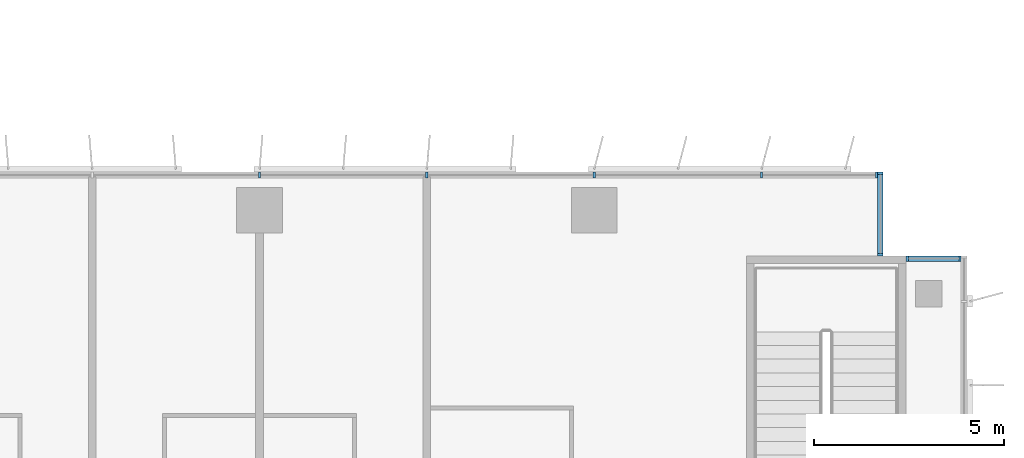
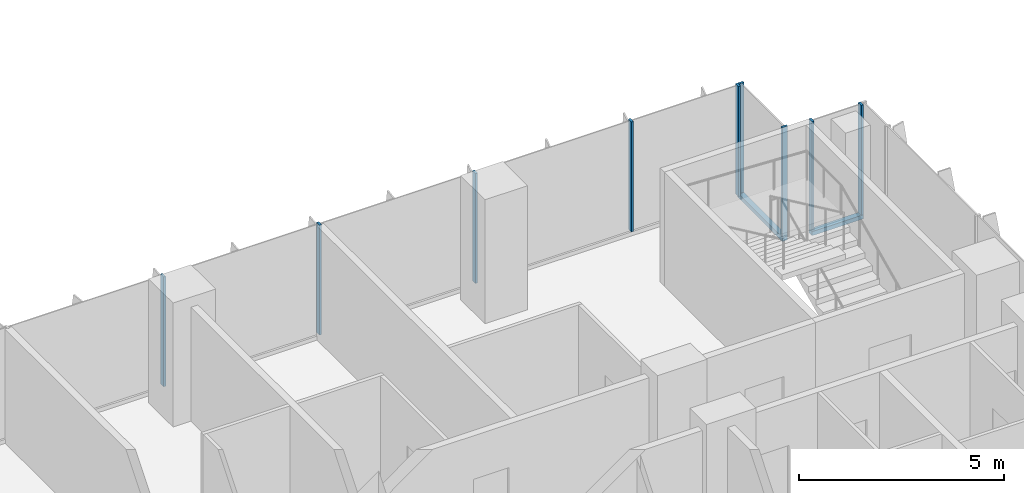
# One storey, part 4 of 23: 11 members, 3 elements without a shape of their own.
"""IFC4 building model written with IfcOpenShell, lengths in metres."""

import ifcopenshell
import ifcopenshell.guid

model = None  # the IFC model being written
_history = None  # IfcOwnerHistory: only IFC2X3 demands one
_inside = {}  # id of a spatial element -> (the spatial element, [elements in it])
_under = {}  # id of a project, library or spatial element -> (it, [spatial elements below it])
_declared = {}  # id of a project -> (the project, [libraries it declares])
_typed = {}  # id of a type object -> (the type object, [elements of that type])
_made_of = {}  # id of a material, layer set ... -> (it, [elements and type objects made of it])


def new_model(schema):
    """Start an empty IFC model of exactly this schema.

    Asked for "IFC4X3", IfcOpenShell would pick the latest addendum, in which some entities
    have other attributes; the version numbers below select the first issue.
    IFC2X3 requires an IfcOwnerHistory on every rooted entity: one is made here for all.
    """
    global model, _history
    if schema == "IFC4X3":
        model = ifcopenshell.file(schema_version=(4, 3, 0, 0))
    else:
        model = ifcopenshell.file(schema=schema)
    _inside.clear()
    _under.clear()
    _declared.clear()
    _typed.clear()
    _made_of.clear()
    _history = None
    if model.schema == "IFC2X3":
        org = make("IfcOrganization", Name="unknown")
        user = make(
            "IfcPersonAndOrganization",
            ThePerson=make("IfcPerson", FamilyName="unknown"),
            TheOrganization=org,
        )
        app = make(
            "IfcApplication",
            ApplicationDeveloper=org,
            Version="unknown",
            ApplicationFullName="unknown",
            ApplicationIdentifier="unknown",
        )
        _history = make(
            "IfcOwnerHistory",
            OwningUser=user,
            OwningApplication=app,
            ChangeAction="ADDED",
            CreationDate=0,
        )
    return model


def make(cls, **values):
    """One entity of the class cls with the attributes given. An attribute that is None is left unset."""
    return model.create_entity(
        cls, **{name: value for name, value in values.items() if value is not None}
    )


def rooted(cls, **values):
    """An entity with a GlobalId (a new one), such as an element, a storey or a relation."""
    return make(cls, GlobalId=ifcopenshell.guid.new(), OwnerHistory=_history, **values)


def si_unit(unit_type, name, prefix=None):
    """IfcSIUnit, for example si_unit("LENGTHUNIT", "METRE", prefix="MILLI")."""
    return make("IfcSIUnit", UnitType=unit_type, Prefix=prefix, Name=name)


def assignment(units):
    """IfcUnitAssignment: the units of a project."""
    return None if units is None else make("IfcUnitAssignment", Units=units)


def point(xyz):
    """IfcCartesianPoint."""
    return None if xyz is None else make("IfcCartesianPoint", Coordinates=xyz)


def direction(xyz):
    """IfcDirection."""
    return None if xyz is None else make("IfcDirection", DirectionRatios=xyz)


def frame(location, z_axis=None, x_axis=None):
    """IfcAxis2Placement3D, a coordinate frame: its origin and axes. An axis left out is left unset."""
    return make(
        "IfcAxis2Placement3D",
        Location=point(location),
        Axis=direction(z_axis),
        RefDirection=direction(x_axis),
    )


def frame_2d(location, x_axis=None):
    """IfcAxis2Placement2D, a coordinate frame in the plane: its origin and x axis."""
    return make(
        "IfcAxis2Placement2D", Location=point(location), RefDirection=direction(x_axis)
    )


def origin():
    """The frame at (0, 0, 0) with its axes left unset."""
    return frame((0.0, 0.0, 0.0))


def origin_2d():
    """The frame at (0, 0) in the plane with its x axis left unset."""
    return frame_2d((0.0, 0.0))


def place(relative_to, where):
    """IfcLocalPlacement: puts the frame where relative to a parent placement (None: the world)."""
    return make(
        "IfcLocalPlacement", PlacementRelTo=relative_to, RelativePlacement=where
    )


def context(
    kind, dimensions, precision=None, world=None, true_north=None, identifier=None
):
    """IfcGeometricRepresentationContext, for example the 3D "Model" context."""
    return make(
        "IfcGeometricRepresentationContext",
        ContextIdentifier=identifier,
        ContextType=kind,
        CoordinateSpaceDimension=dimensions,
        Precision=precision,
        WorldCoordinateSystem=world,
        TrueNorth=true_north,
    )


def subcontext(parent, identifier, kind, view, scale=None):
    """IfcGeometricRepresentationSubContext, for example "Body" below "Model"."""
    return make(
        "IfcGeometricRepresentationSubContext",
        ContextIdentifier=identifier,
        ContextType=kind,
        ParentContext=parent,
        TargetScale=scale,
        TargetView=view,
    )


def project(units=None, contexts=None):
    """IfcProject with its units and contexts."""
    return rooted(
        "IfcProject",
        Name="project",
        RepresentationContexts=contexts,
        UnitsInContext=assignment(units),
    )


def spatial(cls, under=None, at=None, **own):
    """A site, building, storey or space (cls), placed at a placement, below another one or the project."""
    s = rooted(cls, ObjectPlacement=at, **own)
    if under is not None:
        _under.setdefault(under.id(), (under, []))[1].append(s)
    return s


def profile(cls, at=None, kind="AREA", **sizes):
    """A parametric profile (cls). Its sizes go by their IFC names, for example OverallWidth=200.0."""
    return make(cls, ProfileType=kind, Position=at, **sizes)


def rectangle(**sizes):
    """IfcRectangleProfileDef."""
    return profile("IfcRectangleProfileDef", **sizes)


def extrude(swept, where, along, depth):
    """IfcExtrudedAreaSolid: the profile swept, set in the frame where, extruded along a direction by depth."""
    return make(
        "IfcExtrudedAreaSolid",
        SweptArea=swept,
        Position=where,
        ExtrudedDirection=direction(along),
        Depth=depth,
    )


def shape(context_of_items, identifier, shape_type, items):
    """IfcShapeRepresentation: the items that make up one representation, for example the "Body"."""
    return make(
        "IfcShapeRepresentation",
        ContextOfItems=context_of_items,
        RepresentationIdentifier=identifier,
        RepresentationType=shape_type,
        Items=items,
    )


def source(mapping_origin, context_of_items, identifier, shape_type, items):
    """IfcRepresentationMap: a shape defined once, which mapped items show again and again."""
    return make(
        "IfcRepresentationMap",
        MappingOrigin=mapping_origin,
        MappedRepresentation=shape(context_of_items, identifier, shape_type, items),
    )


def transform(
    local_origin,
    x_axis=None,
    y_axis=None,
    z_axis=None,
    scale=None,
    scale2=None,
    scale3=None,
    uniform=True,
):
    """IfcCartesianTransformationOperator3D, or its non-uniform kind. x_axis, y_axis, z_axis: its Axis1, 2, 3."""
    if uniform:
        return make(
            "IfcCartesianTransformationOperator3D",
            Axis1=direction(x_axis),
            Axis2=direction(y_axis),
            LocalOrigin=point(local_origin),
            Scale=scale,
            Axis3=direction(z_axis),
        )
    return make(
        "IfcCartesianTransformationOperator3DnonUniform",
        Axis1=direction(x_axis),
        Axis2=direction(y_axis),
        LocalOrigin=point(local_origin),
        Scale=scale,
        Axis3=direction(z_axis),
        Scale2=scale2,
        Scale3=scale3,
    )


def mapped(mapping_source, mapping_target):
    """IfcMappedItem: shows the shape of a source again, moved by a transform."""
    return make(
        "IfcMappedItem", MappingSource=mapping_source, MappingTarget=mapping_target
    )


def material(Name=None, Category=None):
    """IfcMaterial."""
    return make("IfcMaterial", Name=Name, Category=Category)


def material_profile(
    of_material, cross_section, Name=None, Category=None, Priority=None
):
    """IfcMaterialProfile: a cross section and its material."""
    return make(
        "IfcMaterialProfile",
        Name=Name,
        Material=of_material,
        Profile=cross_section,
        Priority=Priority,
        Category=Category,
    )


def profile_set(profiles, Name=None, composite=None):
    """IfcMaterialProfileSet."""
    return make(
        "IfcMaterialProfileSet",
        Name=Name,
        MaterialProfiles=profiles,
        CompositeProfile=composite,
    )


def made_of(thing, what):
    """Note that an element or type object is made of a material, layer set ...; save() writes the relation."""
    if what is not None:
        _made_of.setdefault(what.id(), (what, []))[1].append(thing)
    return thing


def type_object(cls, material=None, **own):
    """A type object (cls), such as IfcWallType, which elements share."""
    return made_of(rooted(cls, **own), material)


def element(
    cls,
    number,
    at=None,
    inside=None,
    cuts=None,
    type_object=None,
    material=None,
    context=None,
    identifier="Body",
    shape_type=None,
    held_by="IfcProductDefinitionShape",
    body=None,
    shapes=None,
    **own,
):
    """One element of the class cls, such as IfcWall. Its Tag is "e" and its number.

    at: its placement. inside: the storey or other place that contains it. cuts: it is an
    opening in that element (IfcRelVoidsElement). A single representation is given by context,
    identifier, shape_type and body (its items); several are given by shapes. held_by: the class
    of the entity that holds the representations. save() writes the other relations.
    """
    e = rooted(cls, Tag="e%d" % number, ObjectPlacement=at, **own)
    if body is not None:
        shapes = [shape(context, identifier, shape_type, body)]
    if shapes is not None:
        e.Representation = make(held_by, Representations=shapes)
    if inside is not None:
        _inside.setdefault(inside.id(), (inside, []))[1].append(e)
    if cuts is not None:
        rooted(
            "IfcRelVoidsElement", RelatingBuildingElement=cuts, RelatedOpeningElement=e
        )
    if type_object is not None:
        _typed.setdefault(type_object.id(), (type_object, []))[1].append(e)
    return made_of(e, material)


def aggregate(whole, parts):
    """IfcRelAggregates: a whole, such as a stair, and the parts it consists of."""
    return rooted("IfcRelAggregates", RelatingObject=whole, RelatedObjects=parts)


def save(model, path):
    """Write the relations noted so far, then the file.

    IfcRelAggregates (storeys below a building ...), IfcRelContainedInSpatialStructure (elements
    in a storey), IfcRelDefinesByType, IfcRelAssociatesMaterial and IfcRelDeclares: one each for
    every whole, place, type object, material and project.
    """
    for whole, parts in _under.values():
        aggregate(whole, parts)
    for where, things in _inside.values():
        rooted(
            "IfcRelContainedInSpatialStructure",
            RelatedElements=things,
            RelatingStructure=where,
        )
    for kind, things in _typed.values():
        rooted("IfcRelDefinesByType", RelatedObjects=things, RelatingType=kind)
    for what, things in _made_of.values():
        rooted("IfcRelAssociatesMaterial", RelatedObjects=things, RelatingMaterial=what)
    for by, libraries in _declared.values():
        rooted("IfcRelDeclares", RelatingContext=by, RelatedDefinitions=libraries)
    model.write(path)


model = new_model("IFC4")

# Units and contexts
model_context = context("Model", 3, precision=1e-05, world=origin(), true_north=direction((0.0, 1.0)))
body_context = subcontext(model_context, "Body", "Model", "MODEL_VIEW")
ifc_project = project(units=[si_unit("LENGTHUNIT", "METRE"), si_unit("AREAUNIT", "SQUARE_METRE"), si_unit("VOLUMEUNIT", "CUBIC_METRE"), si_unit("PLANEANGLEUNIT", "RADIAN"), si_unit("MASSUNIT", "GRAM", prefix="KILO")], contexts=[model_context])

# Site, building, storey
site_placement = place(None, origin())
site = spatial("IfcSite", under=ifc_project, at=site_placement, CompositionType="ELEMENT")
building_placement = place(site_placement, origin())
building = spatial("IfcBuilding", under=site, at=building_placement, Name="Kemantara Hotel Tower", CompositionType="ELEMENT")
storey_placement = place(building_placement, frame((0.0, 0.0, 118.5)))
storey = spatial("IfcBuildingStorey", under=building, at=storey_placement, Name="L28", CompositionType="ELEMENT", Elevation=118.5)

# Curtain wall, member
ifc_material_1 = material(Name="Low-E tinted double insulated glass 36 mm", Category="glass")
curtain_wall_type = type_object("IfcCurtainWallType", Name="TOWER CURTAIN WALL, FRONT FACES", PredefinedType="USERDEFINED", material=ifc_material_1)
curtain_wall_1_placement = place(storey_placement, origin())
curtain_wall_1 = element("IfcCurtainWall", 1, at=curtain_wall_1_placement, inside=storey, type_object=curtain_wall_type, Name="CW4 L28 T2-R11-1", ObjectType="TOWER CURTAIN WALL, FRONT FACES", PredefinedType="USERDEFINED")
ifc_material_2 = material(Name="Aluminium 6063-T6 bronze anodised", Category="aluminium")
ifc_material_profile_1 = material_profile(ifc_material_2, rectangle(XDim=0.14990234375, YDim=0.1201171875, at=origin_2d()), Name="TOWER CURTAIN WALL, FRONT FACES TRANSOM")
ifc_profile_set_1 = profile_set([ifc_material_profile_1], Name="Aluminium 6063-T6 bronze anodised")
member_type_1 = type_object("IfcMemberType", Name="TOWER CURTAIN WALL, FRONT FACES TRANSOM", PredefinedType="USERDEFINED", material=ifc_profile_set_1)
member_1_placement = place(storey_placement, frame((63.449951171875, 19.72509765625, 0.06005859375), z_axis=(-1.0, 0.0, 0.0), x_axis=(0.0, -1.0, 0.0)))
member_1 = element("IfcMember", 2, at=member_1_placement, type_object=member_type_1, Name="CW4 sill transom T2-R11-1", ObjectType="TRANSOM", PredefinedType="USERDEFINED", context=body_context, shape_type="SweptSolid", body=[
    extrude(rectangle(XDim=0.14990234375, YDim=0.1201171875, at=origin_2d()), origin(), (0.0, 0.0, 1.0), 1.449951171875),
])

curtain_wall_2_placement = place(storey_placement, origin())
curtain_wall_2 = element("IfcCurtainWall", 3, at=curtain_wall_2_placement, inside=storey, type_object=curtain_wall_type, Name="CW4 L28 T2-R12-1", ObjectType="TOWER CURTAIN WALL, FRONT FACES", PredefinedType="USERDEFINED")
member_2_placement = place(storey_placement, frame((61.324951171875, 19.800048828125, 0.06005859375), z_axis=(0.0, 1.0, 0.0), x_axis=(-1.0, 0.0, 0.0)))
member_2 = element("IfcMember", 4, at=member_2_placement, type_object=member_type_1, Name="CW4 sill transom T2-R12-1", ObjectType="TRANSOM", PredefinedType="USERDEFINED", context=body_context, shape_type="SweptSolid", body=[
    extrude(rectangle(XDim=0.14990234375, YDim=0.1201171875, at=origin_2d()), origin(), (0.0, 0.0, 1.0), 2.199951171875),
])

# Curtain wall, members
curtain_wall_3_placement = place(storey_placement, origin())
curtain_wall_3 = element("IfcCurtainWall", 5, at=curtain_wall_3_placement, inside=storey, type_object=curtain_wall_type, Name="CW4 L28 T2-R13-1", ObjectType="TOWER CURTAIN WALL, FRONT FACES", PredefinedType="USERDEFINED")
ifc_material_profile_2 = material_profile(ifc_material_2, rectangle(XDim=0.14990234375, YDim=0.06005859375, at=origin_2d()), Name="TOWER CURTAIN WALL, FRONT FACES MULLION")
ifc_profile_set_2 = profile_set([ifc_material_profile_2], Name="Aluminium 6063-T6 bronze anodised")
member_type_2 = type_object("IfcMemberType", Name="TOWER CURTAIN WALL, FRONT FACES MULLION", PredefinedType="MULLION", material=ifc_profile_set_2)
shared_shape = source(origin(), body_context, "Body", "SweptSolid", [
    extrude(rectangle(XDim=0.14990234375, YDim=0.06005859375, at=origin_2d()), origin(), (0.0, 0.0, 1.0), 3.27978515625),
])
member_3_placement = place(storey_placement, frame((61.219970703125, 21.925048828125, 0.1201171875), z_axis=(0.0, 0.0, 1.0), x_axis=(0.0, -1.0, 0.0)))
member_3 = element("IfcMember", 6, at=member_3_placement, type_object=member_type_2, Name="CW4 mullion T2-R13-1.1", PredefinedType="MULLION", context=body_context, shape_type="MappedRepresentation", body=[
    mapped(shared_shape, transform((0.0, 0.0, 0.0))),
])
member_4_placement = place(storey_placement, frame((58.199951171875, 21.925048828125, 0.1201171875), z_axis=(0.0, 0.0, 1.0), x_axis=(0.0, -1.0, 0.0)))
member_4 = element("IfcMember", 7, at=member_4_placement, type_object=member_type_2, Name="CW4 mullion T2-R13-1.2", PredefinedType="MULLION", context=body_context, shape_type="MappedRepresentation", body=[
    mapped(shared_shape, transform((0.0, 0.0, 0.0))),
])
member_5_placement = place(storey_placement, frame((53.800048828125, 21.925048828125, 0.1201171875), z_axis=(0.0, 0.0, 1.0), x_axis=(0.0, -1.0, 0.0)))
member_5 = element("IfcMember", 8, at=member_5_placement, type_object=member_type_2, Name="CW4 mullion T2-R13-1.3", PredefinedType="MULLION", context=body_context, shape_type="MappedRepresentation", body=[
    mapped(shared_shape, transform((0.0, 0.0, 0.0))),
])
member_6_placement = place(storey_placement, frame((49.39990234375, 21.925048828125, 0.1201171875), z_axis=(0.0, 0.0, 1.0), x_axis=(0.0, -1.0, 0.0)))
member_6 = element("IfcMember", 9, at=member_6_placement, type_object=member_type_2, Name="CW4 mullion T2-R13-1.4", PredefinedType="MULLION", context=body_context, shape_type="MappedRepresentation", body=[
    mapped(shared_shape, transform((0.0, 0.0, 0.0))),
])
member_7_placement = place(storey_placement, frame((45.0, 21.925048828125, 0.1201171875), z_axis=(0.0, 0.0, 1.0), x_axis=(0.0, -1.0, 0.0)))
member_7 = element("IfcMember", 10, at=member_7_placement, type_object=member_type_2, Name="CW4 mullion T2-R13-1.5", PredefinedType="MULLION", context=body_context, shape_type="MappedRepresentation", body=[
    mapped(shared_shape, transform((0.0, 0.0, 0.0))),
])
aggregate(curtain_wall_3, [member_3, member_4, member_5, member_6, member_7])

# Member
member_8_placement = place(storey_placement, frame((63.419921875, 19.72509765625, 0.1201171875), z_axis=(0.0, 0.0, 1.0), x_axis=(0.0, -1.0, 0.0)))
member_8 = element("IfcMember", 11, at=member_8_placement, type_object=member_type_2, Name="CW4 mullion T2-R11-1.1", PredefinedType="MULLION", context=body_context, shape_type="MappedRepresentation", body=[
    mapped(shared_shape, transform((0.0, 0.0, 0.0))),
])

member_9_placement = place(storey_placement, frame((62.030029296875, 19.72509765625, 0.1201171875), z_axis=(0.0, 0.0, 1.0), x_axis=(0.0, -1.0, 0.0)))
member_9 = element("IfcMember", 12, at=member_9_placement, type_object=member_type_2, Name="CW4 mullion T2-R11-1.2", PredefinedType="MULLION", context=body_context, shape_type="MappedRepresentation", body=[
    mapped(shared_shape, transform((0.0, 0.0, 0.0))),
])

aggregate(curtain_wall_1, [member_1, member_8, member_9])

member_10_placement = place(storey_placement, frame((61.324951171875, 19.830078125, 0.1201171875), z_axis=(0.0, 0.0, 1.0), x_axis=(-1.0, 0.0, 0.0)))
member_10 = element("IfcMember", 13, at=member_10_placement, type_object=member_type_2, Name="CW4 mullion T2-R12-1.1", PredefinedType="MULLION", context=body_context, shape_type="MappedRepresentation", body=[
    mapped(shared_shape, transform((0.0, 0.0, 0.0))),
])

member_11_placement = place(storey_placement, frame((61.324951171875, 21.969970703125, 0.1201171875), z_axis=(0.0, 0.0, 1.0), x_axis=(-1.0, 0.0, 0.0)))
member_11 = element("IfcMember", 14, at=member_11_placement, type_object=member_type_2, Name="CW4 mullion T2-R12-1.2", PredefinedType="MULLION", context=body_context, shape_type="MappedRepresentation", body=[
    mapped(shared_shape, transform((0.0, 0.0, 0.0))),
])

aggregate(curtain_wall_2, [member_2, member_10, member_11])

save(model, "model.ifc")
